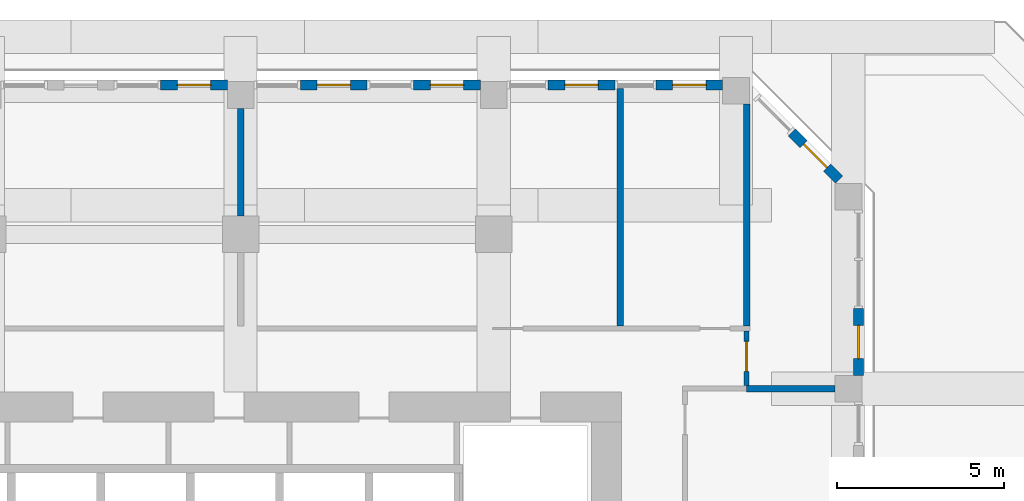
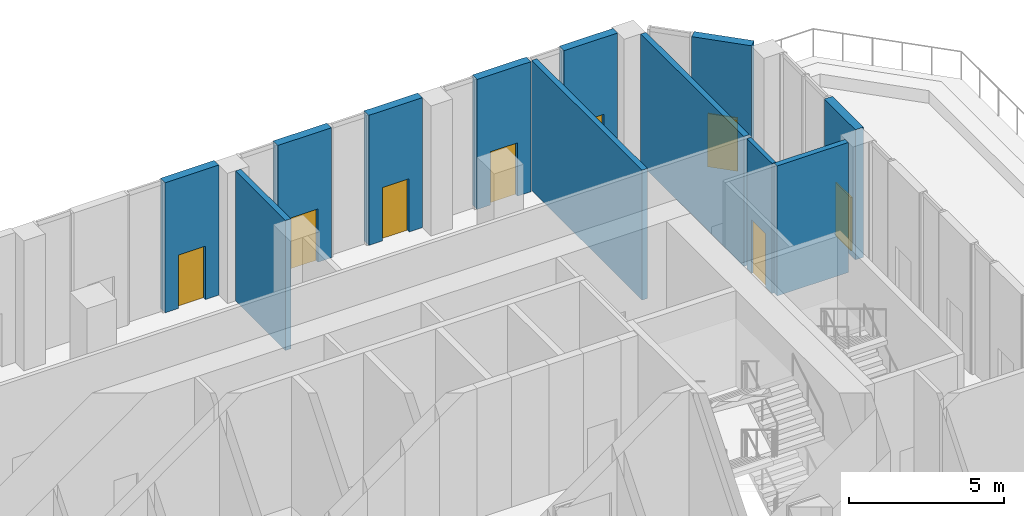
# One storey, part 15 of 19: 12 walls, 8 doors, 8 openings.
"""IFC4 building model written with IfcOpenShell, lengths in metres."""

from ifc_helpers import new_model, si_unit, direction, frame, frame_2d, origin, place, context, subcontext, project, spatial, rectangle, extrude, source, transform, mapped, material, layer, layer_set, type_object, element, fill, save


model = new_model("IFC4")

# Units and contexts
model_context = context("Model", 3, precision=1e-05, world=origin(), true_north=direction((0.0, 1.0)))
body_context = subcontext(model_context, "Body", "Model", "MODEL_VIEW")
ifc_project = project(units=[si_unit("LENGTHUNIT", "METRE"), si_unit("AREAUNIT", "SQUARE_METRE"), si_unit("VOLUMEUNIT", "CUBIC_METRE"), si_unit("PLANEANGLEUNIT", "RADIAN"), si_unit("MASSUNIT", "GRAM", prefix="KILO")], contexts=[model_context])

# Site, building, storey
site_placement = place(None, origin())
site = spatial("IfcSite", under=ifc_project, at=site_placement, CompositionType="ELEMENT")
building_placement = place(site_placement, origin())
building = spatial("IfcBuilding", under=site, at=building_placement, Name="Kilnfold Tower and Market Hall", CompositionType="ELEMENT")
storey_placement = place(building_placement, frame((0.0, 0.0, 138.5)))
storey = spatial("IfcBuildingStorey", under=building, at=storey_placement, Name="L31", CompositionType="ELEMENT", Elevation=138.5)

# Wall, opening, door
ifc_material_1 = material(Name="Gypsum board on steel studs", Category="steel")
ifc_layer_1 = layer(ifc_material_1, 0.14990234375)
ifc_layer_set_1 = layer_set([ifc_layer_1], Name="Gypsum board on steel studs")
wall_type_1 = type_object("IfcWallType", Name="WALL CORRIDOR 150", PredefinedType="PARTITIONING", material=ifc_layer_set_1)
wall_1_placement = place(storey_placement, frame((21.75, 22.10009765625, 0.0), z_axis=(0.0, 0.0, 1.0), x_axis=(0.0, 1.0, 0.0)))
wall_1 = element("IfcWall", 1, at=wall_1_placement, inside=storey, type_object=wall_type_1, Name="Partition LY20.21", PredefinedType="PARTITIONING", context=body_context, shape_type="SweptSolid", body=[
    extrude(rectangle(XDim=1.625, YDim=0.14990234375, at=frame_2d((0.8125, 0.0))), origin(), (0.0, 0.0, 1.0), 5.1201171875),
])
opening_1_placement = place(wall_1_placement, frame((0.4169921875, 0.0, 0.0)))
opening_1 = element("IfcOpeningElement", 2, at=opening_1_placement, cuts=wall_1, Name="Opening D2", PredefinedType="OPENING", context=body_context, shape_type="SweptSolid", body=[
    extrude(rectangle(XDim=0.89990234375, YDim=2.10009765625, at=frame_2d((0.449951171875, 1.050048828125))), frame((0.0, 0.0849609375, 0.0), z_axis=(0.0, -1.0, 0.0), x_axis=(1.0, 0.0, 0.0)), (0.0, 0.0, 1.0), 0.169921875),
])
ifc_material_2 = material(Name="Timber veneer door leaf in steel frame", Category="steel")
door_type_1 = type_object("IfcDoorType", Name="DOOR ROOM 900 X2100", OperationType="NOTDEFINED", PredefinedType="DOOR", material=ifc_material_2)
door_1_placement = place(opening_1_placement, origin())
door_1 = element("IfcDoor", 3, at=door_1_placement, inside=storey, type_object=door_type_1, Name="Door D2", OperationType="SINGLE_SWING_LEFT", OverallHeight=2.10009765625, OverallWidth=0.89990234375, PredefinedType="DOOR", context=body_context, shape_type="SweptSolid", body=[
    extrude(rectangle(XDim=0.89990234375, YDim=2.10009765625, at=frame_2d((0.449951171875, 1.050048828125))), frame((0.0, 0.02490234375, 0.0), z_axis=(0.0, -1.0, 0.0), x_axis=(1.0, 0.0, 0.0)), (0.0, 0.0, 1.0), 0.050048828125),
])
fill(opening_1, door_1)

# Walls
ifc_material_3 = material(Name="Gypsum board on steel studs", Category="steel")
ifc_layer_2 = layer(ifc_material_3, 0.199951171875)
ifc_layer_set_2 = layer_set([ifc_layer_2], Name="Gypsum board on steel studs")
wall_type_2 = type_object("IfcWallType", Name="WALL PARTY 200", PredefinedType="PARTITIONING", material=ifc_layer_set_2)
wall_2_placement = place(storey_placement, frame((6.5830078125, 27.175048828125, 0.0), z_axis=(0.0, 0.0, 1.0), x_axis=(0.0, 1.0, 0.0)))
element("IfcWall", 4, at=wall_2_placement, inside=storey, type_object=wall_type_2, Name="Partition LY20.63", PredefinedType="PARTITIONING", context=body_context, shape_type="SweptSolid", body=[
    extrude(rectangle(XDim=3.224853515625, YDim=0.199951171875, at=frame_2d((1.6123046875, 0.0))), origin(), (0.0, 0.0, 1.0), 5.1201171875),
])
wall_3_placement = place(storey_placement, frame((17.958984375, 23.876953125, 0.0), z_axis=(0.0, 0.0, 1.0), x_axis=(0.0, 1.0, 0.0)))
element("IfcWall", 5, at=wall_3_placement, inside=storey, type_object=wall_type_2, Name="Partition LY20.65", PredefinedType="PARTITIONING", context=body_context, shape_type="SweptSolid", body=[
    extrude(rectangle(XDim=7.123046875, YDim=0.199951171875, at=frame_2d((3.5615234375, 0.0))), origin(), (0.0, 0.0, 1.0), 5.1201171875),
])
wall_4_placement = place(storey_placement, frame((21.75, 23.876953125, 0.0), z_axis=(0.0, 0.0, 1.0), x_axis=(0.0, 1.0, 0.0)))
element("IfcWall", 6, at=wall_4_placement, inside=storey, type_object=wall_type_2, Name="Partition LY20.66", PredefinedType="PARTITIONING", context=body_context, shape_type="SweptSolid", body=[
    extrude(rectangle(XDim=6.655029296875, YDim=0.199951171875, at=frame_2d((3.32763671875, 0.0))), origin(), (0.0, 0.0, 1.0), 5.1201171875),
])
wall_5_placement = place(storey_placement, frame((21.751953125, 22.0, 0.0), z_axis=(0.0, 0.0, 1.0), x_axis=(1.0, 0.0, 0.0)))
element("IfcWall", 7, at=wall_5_placement, inside=storey, type_object=wall_type_2, Name="Partition LY20.67", PredefinedType="PARTITIONING", context=body_context, shape_type="SweptSolid", body=[
    extrude(rectangle(XDim=2.64794921875, YDim=0.199951171875, at=frame_2d((1.323974609375, 0.0))), origin(), (0.0, 0.0, 1.0), 5.1201171875),
])

# Wall, opening, door
ifc_material_4 = material(Name="Precast concrete C50/60", Category="concrete")
ifc_layer_3 = layer(ifc_material_4, 0.300048828125)
ifc_layer_set_3 = layer_set([ifc_layer_3], Name="Precast concrete C50/60")
wall_type_3 = type_object("IfcWallType", Name="PRECAST WALL 300", PredefinedType="SOLIDWALL", material=ifc_layer_set_3)
shared_shape = source(origin(), body_context, "Body", "SweptSolid", [
    extrude(rectangle(XDim=2.0, YDim=0.300048828125, at=frame_2d((1.0, 0.0))), origin(), (0.0, 0.0, 1.0), 5.1201171875),
])
wall_6_placement = place(storey_placement, frame((25.10009765625, 22.39990234375, 0.0), z_axis=(0.0, 0.0, 1.0), x_axis=(0.0, 1.0, 0.0)))
wall_6 = element("IfcWall", 8, at=wall_6_placement, inside=storey, type_object=wall_type_3, Name="External wall L31 E", PredefinedType="SOLIDWALL", context=body_context, shape_type="MappedRepresentation", body=[
    mapped(shared_shape, transform((0.0, 0.0, 0.0))),
])
opening_2_placement = place(wall_6_placement, frame((0.5, 0.0, 0.0)))
opening_2 = element("IfcOpeningElement", 9, at=opening_2_placement, cuts=wall_6, Name="Opening BD1", PredefinedType="OPENING", context=body_context, shape_type="SweptSolid", body=[
    extrude(rectangle(XDim=1.0, YDim=2.10009765625, at=frame_2d((0.5, 1.050048828125))), frame((0.0, 0.16015625, 0.0), z_axis=(0.0, -1.0, 0.0), x_axis=(1.0, 0.0, 0.0)), (0.0, 0.0, 1.0), 0.320068359375),
])
ifc_material_5 = material(Name="Aluminium frame and double glazing", Category="aluminium")
door_type_2 = type_object("IfcDoorType", Name="BALCONY DOOR 1000X2100", OperationType="NOTDEFINED", PredefinedType="DOOR", material=ifc_material_5)
door_2_placement = place(opening_2_placement, origin())
door_2 = element("IfcDoor", 10, at=door_2_placement, inside=storey, type_object=door_type_2, Name="Balcony door BD1 L31 E-1", OperationType="SINGLE_SWING_LEFT", OverallHeight=2.10009765625, OverallWidth=1.0, PredefinedType="DOOR", context=body_context, shape_type="SweptSolid", body=[
    extrude(rectangle(XDim=1.0, YDim=2.10009765625, at=frame_2d((0.5, 1.050048828125))), frame((0.0, 0.02490234375, 0.0), z_axis=(0.0, -1.0, 0.0), x_axis=(1.0, 0.0, 0.0)), (0.0, 0.0, 1.0), 0.050048828125),
])
fill(opening_2, door_2)

wall_7_placement = place(storey_placement, frame((24.518798828125, 28.268798828125, 0.0), z_axis=(0.0, 0.0, 1.0), x_axis=(-0.707045742145, 0.70716781496, 0.0)))
wall_7 = element("IfcWall", 11, at=wall_7_placement, inside=storey, type_object=wall_type_3, Name="External wall L31 NE", PredefinedType="SOLIDWALL", context=body_context, shape_type="MappedRepresentation", body=[
    mapped(shared_shape, transform((0.0, 0.0, 0.0))),
])
opening_3_placement = place(wall_7_placement, frame((0.5, 0.0, 0.0)))
opening_3 = element("IfcOpeningElement", 12, at=opening_3_placement, cuts=wall_7, Name="Opening BD1", PredefinedType="OPENING", context=body_context, shape_type="SweptSolid", body=[
    extrude(rectangle(XDim=1.0, YDim=2.10009765625, at=frame_2d((0.5, 1.050048828125))), frame((0.0, 0.16015625, 0.0), z_axis=(0.0, -1.0, 0.0), x_axis=(1.0, 0.0, 0.0)), (0.0, 0.0, 1.0), 0.320068359375),
])
door_3_placement = place(opening_3_placement, origin())
door_3 = element("IfcDoor", 13, at=door_3_placement, inside=storey, type_object=door_type_2, Name="Balcony door BD1 L31 NE-1", OperationType="SINGLE_SWING_LEFT", OverallHeight=2.10009765625, OverallWidth=1.0, PredefinedType="DOOR", context=body_context, shape_type="SweptSolid", body=[
    extrude(rectangle(XDim=1.0, YDim=2.10009765625, at=frame_2d((0.5, 1.050048828125))), frame((0.0, 0.02490234375, 0.0), z_axis=(0.0, -1.0, 0.0), x_axis=(1.0, 0.0, 0.0)), (0.0, 0.0, 1.0), 0.050048828125),
])
fill(opening_3, door_3)

wall_8_placement = place(storey_placement, frame((21.03173828125, 31.10009765625, 0.0), z_axis=(0.0, 0.0, 1.0), x_axis=(-1.0, 0.0, 0.0)))
wall_8 = element("IfcWall", 14, at=wall_8_placement, inside=storey, type_object=wall_type_3, Name="External wall L31 N", PredefinedType="SOLIDWALL", context=body_context, shape_type="MappedRepresentation", body=[
    mapped(shared_shape, transform((0.0, 0.0, 0.0))),
])
opening_4_placement = place(wall_8_placement, frame((0.5, 0.0, 0.0)))
opening_4 = element("IfcOpeningElement", 15, at=opening_4_placement, cuts=wall_8, Name="Opening BD1", PredefinedType="OPENING", context=body_context, shape_type="SweptSolid", body=[
    extrude(rectangle(XDim=1.0, YDim=2.10009765625, at=frame_2d((0.5, 1.050048828125))), frame((0.0, 0.16015625, 0.0), z_axis=(0.0, -1.0, 0.0), x_axis=(1.0, 0.0, 0.0)), (0.0, 0.0, 1.0), 0.320068359375),
])
door_4_placement = place(opening_4_placement, origin())
door_4 = element("IfcDoor", 16, at=door_4_placement, inside=storey, type_object=door_type_2, Name="Balcony door BD1 L31 N-1", OperationType="SINGLE_SWING_LEFT", OverallHeight=2.10009765625, OverallWidth=1.0, PredefinedType="DOOR", context=body_context, shape_type="SweptSolid", body=[
    extrude(rectangle(XDim=1.0, YDim=2.10009765625, at=frame_2d((0.5, 1.050048828125))), frame((0.0, 0.02490234375, 0.0), z_axis=(0.0, -1.0, 0.0), x_axis=(1.0, 0.0, 0.0)), (0.0, 0.0, 1.0), 0.050048828125),
])
fill(opening_4, door_4)

wall_9_placement = place(storey_placement, frame((17.79931640625, 31.10009765625, 0.0), z_axis=(0.0, 0.0, 1.0), x_axis=(-1.0, 0.0, 0.0)))
wall_9 = element("IfcWall", 17, at=wall_9_placement, inside=storey, type_object=wall_type_3, Name="External wall L31 N", PredefinedType="SOLIDWALL", context=body_context, shape_type="MappedRepresentation", body=[
    mapped(shared_shape, transform((0.0, 0.0, 0.0))),
])
opening_5_placement = place(wall_9_placement, frame((0.5, 0.0, 0.0)))
opening_5 = element("IfcOpeningElement", 18, at=opening_5_placement, cuts=wall_9, Name="Opening BD1", PredefinedType="OPENING", context=body_context, shape_type="SweptSolid", body=[
    extrude(rectangle(XDim=1.0, YDim=2.10009765625, at=frame_2d((0.5, 1.050048828125))), frame((0.0, 0.16015625, 0.0), z_axis=(0.0, -1.0, 0.0), x_axis=(1.0, 0.0, 0.0)), (0.0, 0.0, 1.0), 0.320068359375),
])
door_5_placement = place(opening_5_placement, origin())
door_5 = element("IfcDoor", 19, at=door_5_placement, inside=storey, type_object=door_type_2, Name="Balcony door BD1 L31 N-2", OperationType="SINGLE_SWING_RIGHT", OverallHeight=2.10009765625, OverallWidth=1.0, PredefinedType="DOOR", context=body_context, shape_type="SweptSolid", body=[
    extrude(rectangle(XDim=1.0, YDim=2.10009765625, at=frame_2d((0.5, 1.050048828125))), frame((0.0, 0.02490234375, 0.0), z_axis=(0.0, -1.0, 0.0), x_axis=(1.0, 0.0, 0.0)), (0.0, 0.0, 1.0), 0.050048828125),
])
fill(opening_5, door_5)

wall_10_placement = place(storey_placement, frame((13.7666015625, 31.10009765625, 0.0), z_axis=(0.0, 0.0, 1.0), x_axis=(-1.0, 0.0, 0.0)))
wall_10 = element("IfcWall", 20, at=wall_10_placement, inside=storey, type_object=wall_type_3, Name="External wall L31 N", PredefinedType="SOLIDWALL", context=body_context, shape_type="MappedRepresentation", body=[
    mapped(shared_shape, transform((0.0, 0.0, 0.0))),
])
opening_6_placement = place(wall_10_placement, frame((0.5, 0.0, 0.0)))
opening_6 = element("IfcOpeningElement", 21, at=opening_6_placement, cuts=wall_10, Name="Opening BD1", PredefinedType="OPENING", context=body_context, shape_type="SweptSolid", body=[
    extrude(rectangle(XDim=1.0, YDim=2.10009765625, at=frame_2d((0.5, 1.050048828125))), frame((0.0, 0.16015625, 0.0), z_axis=(0.0, -1.0, 0.0), x_axis=(1.0, 0.0, 0.0)), (0.0, 0.0, 1.0), 0.320068359375),
])
door_6_placement = place(opening_6_placement, origin())
door_6 = element("IfcDoor", 22, at=door_6_placement, inside=storey, type_object=door_type_2, Name="Balcony door BD1 L31 N-1", OperationType="SINGLE_SWING_LEFT", OverallHeight=2.10009765625, OverallWidth=1.0, PredefinedType="DOOR", context=body_context, shape_type="SweptSolid", body=[
    extrude(rectangle(XDim=1.0, YDim=2.10009765625, at=frame_2d((0.5, 1.050048828125))), frame((0.0, 0.02490234375, 0.0), z_axis=(0.0, -1.0, 0.0), x_axis=(1.0, 0.0, 0.0)), (0.0, 0.0, 1.0), 0.050048828125),
])
fill(opening_6, door_6)

wall_11_placement = place(storey_placement, frame((10.375, 31.10009765625, 0.0), z_axis=(0.0, 0.0, 1.0), x_axis=(-1.0, 0.0, 0.0)))
wall_11 = element("IfcWall", 23, at=wall_11_placement, inside=storey, type_object=wall_type_3, Name="External wall L31 N", PredefinedType="SOLIDWALL", context=body_context, shape_type="MappedRepresentation", body=[
    mapped(shared_shape, transform((0.0, 0.0, 0.0))),
])
opening_7_placement = place(wall_11_placement, frame((0.5, 0.0, 0.0)))
opening_7 = element("IfcOpeningElement", 24, at=opening_7_placement, cuts=wall_11, Name="Opening BD1", PredefinedType="OPENING", context=body_context, shape_type="SweptSolid", body=[
    extrude(rectangle(XDim=1.0, YDim=2.10009765625, at=frame_2d((0.5, 1.050048828125))), frame((0.0, 0.16015625, 0.0), z_axis=(0.0, -1.0, 0.0), x_axis=(1.0, 0.0, 0.0)), (0.0, 0.0, 1.0), 0.320068359375),
])
door_7_placement = place(opening_7_placement, origin())
door_7 = element("IfcDoor", 25, at=door_7_placement, inside=storey, type_object=door_type_2, Name="Balcony door BD1 L31 N-2", OperationType="SINGLE_SWING_RIGHT", OverallHeight=2.10009765625, OverallWidth=1.0, PredefinedType="DOOR", context=body_context, shape_type="SweptSolid", body=[
    extrude(rectangle(XDim=1.0, YDim=2.10009765625, at=frame_2d((0.5, 1.050048828125))), frame((0.0, 0.02490234375, 0.0), z_axis=(0.0, -1.0, 0.0), x_axis=(1.0, 0.0, 0.0)), (0.0, 0.0, 1.0), 0.050048828125),
])
fill(opening_7, door_7)

wall_12_placement = place(storey_placement, frame((6.183349609375, 31.10009765625, 0.0), z_axis=(0.0, 0.0, 1.0), x_axis=(-1.0, 0.0, 0.0)))
wall_12 = element("IfcWall", 26, at=wall_12_placement, inside=storey, type_object=wall_type_3, Name="External wall L31 N", PredefinedType="SOLIDWALL", context=body_context, shape_type="MappedRepresentation", body=[
    mapped(shared_shape, transform((0.0, 0.0, 0.0))),
])
opening_8_placement = place(wall_12_placement, frame((0.5, 0.0, 0.0)))
opening_8 = element("IfcOpeningElement", 27, at=opening_8_placement, cuts=wall_12, Name="Opening BD1", PredefinedType="OPENING", context=body_context, shape_type="SweptSolid", body=[
    extrude(rectangle(XDim=1.0, YDim=2.10009765625, at=frame_2d((0.5, 1.050048828125))), frame((0.0, 0.16015625, 0.0), z_axis=(0.0, -1.0, 0.0), x_axis=(1.0, 0.0, 0.0)), (0.0, 0.0, 1.0), 0.320068359375),
])
door_8_placement = place(opening_8_placement, origin())
door_8 = element("IfcDoor", 28, at=door_8_placement, inside=storey, type_object=door_type_2, Name="Balcony door BD1 L31 N-1", OperationType="SINGLE_SWING_LEFT", OverallHeight=2.10009765625, OverallWidth=1.0, PredefinedType="DOOR", context=body_context, shape_type="SweptSolid", body=[
    extrude(rectangle(XDim=1.0, YDim=2.10009765625, at=frame_2d((0.5, 1.050048828125))), frame((0.0, 0.02490234375, 0.0), z_axis=(0.0, -1.0, 0.0), x_axis=(1.0, 0.0, 0.0)), (0.0, 0.0, 1.0), 0.050048828125),
])
fill(opening_8, door_8)

save(model, "model.ifc")
